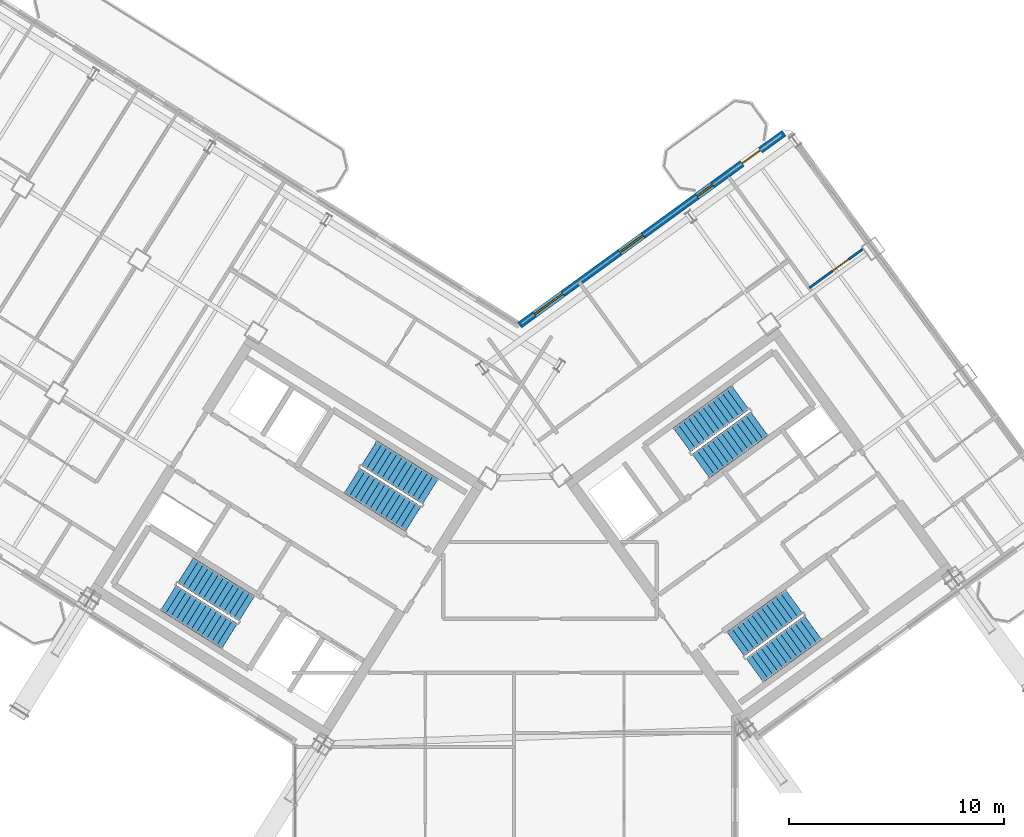
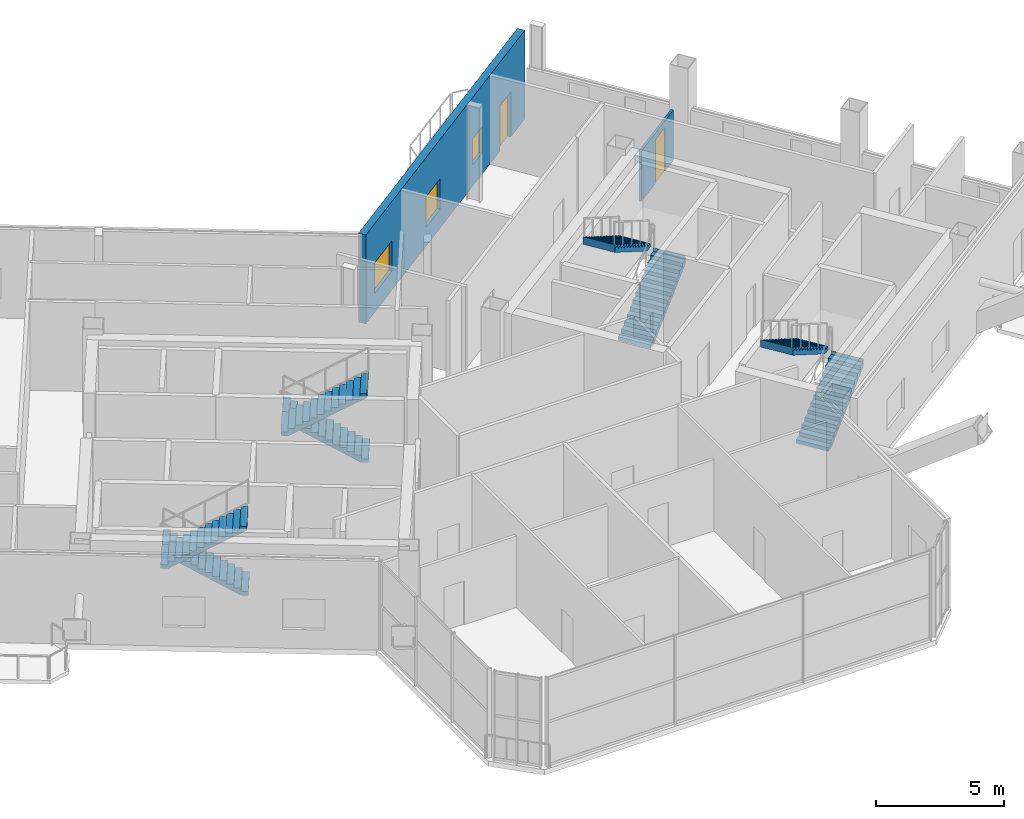
# One storey, part 27 of 34: 8 stair flights, 3 windows, 2 doors, 2 walls, 5 openings, 4 elements without a shape of their own.
"""IFC4 building model written with IfcOpenShell, lengths in metres."""

import ifcopenshell
import ifcopenshell.guid

model = None  # the IFC model being written
_history = None  # IfcOwnerHistory: only IFC2X3 demands one
_inside = {}  # id of a spatial element -> (the spatial element, [elements in it])
_under = {}  # id of a project, library or spatial element -> (it, [spatial elements below it])
_declared = {}  # id of a project -> (the project, [libraries it declares])
_typed = {}  # id of a type object -> (the type object, [elements of that type])
_made_of = {}  # id of a material, layer set ... -> (it, [elements and type objects made of it])


def new_model(schema):
    """Start an empty IFC model of exactly this schema.

    Asked for "IFC4X3", IfcOpenShell would pick the latest addendum, in which some entities
    have other attributes; the version numbers below select the first issue.
    IFC2X3 requires an IfcOwnerHistory on every rooted entity: one is made here for all.
    """
    global model, _history
    if schema == "IFC4X3":
        model = ifcopenshell.file(schema_version=(4, 3, 0, 0))
    else:
        model = ifcopenshell.file(schema=schema)
    _inside.clear()
    _under.clear()
    _declared.clear()
    _typed.clear()
    _made_of.clear()
    _history = None
    if model.schema == "IFC2X3":
        org = make("IfcOrganization", Name="unknown")
        user = make(
            "IfcPersonAndOrganization",
            ThePerson=make("IfcPerson", FamilyName="unknown"),
            TheOrganization=org,
        )
        app = make(
            "IfcApplication",
            ApplicationDeveloper=org,
            Version="unknown",
            ApplicationFullName="unknown",
            ApplicationIdentifier="unknown",
        )
        _history = make(
            "IfcOwnerHistory",
            OwningUser=user,
            OwningApplication=app,
            ChangeAction="ADDED",
            CreationDate=0,
        )
    return model


def make(cls, **values):
    """One entity of the class cls with the attributes given. An attribute that is None is left unset."""
    return model.create_entity(
        cls, **{name: value for name, value in values.items() if value is not None}
    )


def rooted(cls, **values):
    """An entity with a GlobalId (a new one), such as an element, a storey or a relation."""
    return make(cls, GlobalId=ifcopenshell.guid.new(), OwnerHistory=_history, **values)


def si_unit(unit_type, name, prefix=None):
    """IfcSIUnit, for example si_unit("LENGTHUNIT", "METRE", prefix="MILLI")."""
    return make("IfcSIUnit", UnitType=unit_type, Prefix=prefix, Name=name)


def assignment(units):
    """IfcUnitAssignment: the units of a project."""
    return None if units is None else make("IfcUnitAssignment", Units=units)


def point(xyz):
    """IfcCartesianPoint."""
    return None if xyz is None else make("IfcCartesianPoint", Coordinates=xyz)


def direction(xyz):
    """IfcDirection."""
    return None if xyz is None else make("IfcDirection", DirectionRatios=xyz)


def frame(location, z_axis=None, x_axis=None):
    """IfcAxis2Placement3D, a coordinate frame: its origin and axes. An axis left out is left unset."""
    return make(
        "IfcAxis2Placement3D",
        Location=point(location),
        Axis=direction(z_axis),
        RefDirection=direction(x_axis),
    )


def frame_2d(location, x_axis=None):
    """IfcAxis2Placement2D, a coordinate frame in the plane: its origin and x axis."""
    return make(
        "IfcAxis2Placement2D", Location=point(location), RefDirection=direction(x_axis)
    )


def origin():
    """The frame at (0, 0, 0) with its axes left unset."""
    return frame((0.0, 0.0, 0.0))


def place(relative_to, where):
    """IfcLocalPlacement: puts the frame where relative to a parent placement (None: the world)."""
    return make(
        "IfcLocalPlacement", PlacementRelTo=relative_to, RelativePlacement=where
    )


def context(
    kind, dimensions, precision=None, world=None, true_north=None, identifier=None
):
    """IfcGeometricRepresentationContext, for example the 3D "Model" context."""
    return make(
        "IfcGeometricRepresentationContext",
        ContextIdentifier=identifier,
        ContextType=kind,
        CoordinateSpaceDimension=dimensions,
        Precision=precision,
        WorldCoordinateSystem=world,
        TrueNorth=true_north,
    )


def subcontext(parent, identifier, kind, view, scale=None):
    """IfcGeometricRepresentationSubContext, for example "Body" below "Model"."""
    return make(
        "IfcGeometricRepresentationSubContext",
        ContextIdentifier=identifier,
        ContextType=kind,
        ParentContext=parent,
        TargetScale=scale,
        TargetView=view,
    )


def project(units=None, contexts=None):
    """IfcProject with its units and contexts."""
    return rooted(
        "IfcProject",
        Name="project",
        RepresentationContexts=contexts,
        UnitsInContext=assignment(units),
    )


def spatial(cls, under=None, at=None, **own):
    """A site, building, storey or space (cls), placed at a placement, below another one or the project."""
    s = rooted(cls, ObjectPlacement=at, **own)
    if under is not None:
        _under.setdefault(under.id(), (under, []))[1].append(s)
    return s


def polyline(points):
    """IfcPolyline through the points."""
    return make("IfcPolyline", Points=[point(p) for p in points])


def profile(cls, at=None, kind="AREA", **sizes):
    """A parametric profile (cls). Its sizes go by their IFC names, for example OverallWidth=200.0."""
    return make(cls, ProfileType=kind, Position=at, **sizes)


def rectangle(**sizes):
    """IfcRectangleProfileDef."""
    return profile("IfcRectangleProfileDef", **sizes)


def outline(outer, holes=None, kind="AREA"):
    """IfcArbitraryClosedProfileDef: a profile drawn as a closed curve; with holes, ...WithVoids."""
    if holes is None:
        return make("IfcArbitraryClosedProfileDef", ProfileType=kind, OuterCurve=outer)
    return make(
        "IfcArbitraryProfileDefWithVoids",
        ProfileType=kind,
        OuterCurve=outer,
        InnerCurves=holes,
    )


def extrude(swept, where, along, depth):
    """IfcExtrudedAreaSolid: the profile swept, set in the frame where, extruded along a direction by depth."""
    return make(
        "IfcExtrudedAreaSolid",
        SweptArea=swept,
        Position=where,
        ExtrudedDirection=direction(along),
        Depth=depth,
    )


def shape(context_of_items, identifier, shape_type, items):
    """IfcShapeRepresentation: the items that make up one representation, for example the "Body"."""
    return make(
        "IfcShapeRepresentation",
        ContextOfItems=context_of_items,
        RepresentationIdentifier=identifier,
        RepresentationType=shape_type,
        Items=items,
    )


def source(mapping_origin, context_of_items, identifier, shape_type, items):
    """IfcRepresentationMap: a shape defined once, which mapped items show again and again."""
    return make(
        "IfcRepresentationMap",
        MappingOrigin=mapping_origin,
        MappedRepresentation=shape(context_of_items, identifier, shape_type, items),
    )


def transform(
    local_origin,
    x_axis=None,
    y_axis=None,
    z_axis=None,
    scale=None,
    scale2=None,
    scale3=None,
    uniform=True,
):
    """IfcCartesianTransformationOperator3D, or its non-uniform kind. x_axis, y_axis, z_axis: its Axis1, 2, 3."""
    if uniform:
        return make(
            "IfcCartesianTransformationOperator3D",
            Axis1=direction(x_axis),
            Axis2=direction(y_axis),
            LocalOrigin=point(local_origin),
            Scale=scale,
            Axis3=direction(z_axis),
        )
    return make(
        "IfcCartesianTransformationOperator3DnonUniform",
        Axis1=direction(x_axis),
        Axis2=direction(y_axis),
        LocalOrigin=point(local_origin),
        Scale=scale,
        Axis3=direction(z_axis),
        Scale2=scale2,
        Scale3=scale3,
    )


def mapped(mapping_source, mapping_target):
    """IfcMappedItem: shows the shape of a source again, moved by a transform."""
    return make(
        "IfcMappedItem", MappingSource=mapping_source, MappingTarget=mapping_target
    )


def material(Name=None, Category=None):
    """IfcMaterial."""
    return make("IfcMaterial", Name=Name, Category=Category)


def layer(
    of_material, thickness, ventilated=None, Name=None, Category=None, Priority=None
):
    """IfcMaterialLayer: one layer of a wall or slab, of a material (None: an air gap)."""
    return make(
        "IfcMaterialLayer",
        Material=of_material,
        LayerThickness=thickness,
        IsVentilated=ventilated,
        Name=Name,
        Category=Category,
        Priority=Priority,
    )


def layer_set(layers, Name=None):
    """IfcMaterialLayerSet."""
    return make("IfcMaterialLayerSet", MaterialLayers=layers, LayerSetName=Name)


def made_of(thing, what):
    """Note that an element or type object is made of a material, layer set ...; save() writes the relation."""
    if what is not None:
        _made_of.setdefault(what.id(), (what, []))[1].append(thing)
    return thing


def type_object(cls, material=None, **own):
    """A type object (cls), such as IfcWallType, which elements share."""
    return made_of(rooted(cls, **own), material)


def element(
    cls,
    number,
    at=None,
    inside=None,
    cuts=None,
    type_object=None,
    material=None,
    context=None,
    identifier="Body",
    shape_type=None,
    held_by="IfcProductDefinitionShape",
    body=None,
    shapes=None,
    **own,
):
    """One element of the class cls, such as IfcWall. Its Tag is "e" and its number.

    at: its placement. inside: the storey or other place that contains it. cuts: it is an
    opening in that element (IfcRelVoidsElement). A single representation is given by context,
    identifier, shape_type and body (its items); several are given by shapes. held_by: the class
    of the entity that holds the representations. save() writes the other relations.
    """
    e = rooted(cls, Tag="e%d" % number, ObjectPlacement=at, **own)
    if body is not None:
        shapes = [shape(context, identifier, shape_type, body)]
    if shapes is not None:
        e.Representation = make(held_by, Representations=shapes)
    if inside is not None:
        _inside.setdefault(inside.id(), (inside, []))[1].append(e)
    if cuts is not None:
        rooted(
            "IfcRelVoidsElement", RelatingBuildingElement=cuts, RelatedOpeningElement=e
        )
    if type_object is not None:
        _typed.setdefault(type_object.id(), (type_object, []))[1].append(e)
    return made_of(e, material)


def fill(opening, filler):
    """IfcRelFillsElement: the door or window that sits in an opening."""
    return rooted(
        "IfcRelFillsElement",
        RelatingOpeningElement=opening,
        RelatedBuildingElement=filler,
    )


def aggregate(whole, parts):
    """IfcRelAggregates: a whole, such as a stair, and the parts it consists of."""
    return rooted("IfcRelAggregates", RelatingObject=whole, RelatedObjects=parts)


def save(model, path):
    """Write the relations noted so far, then the file.

    IfcRelAggregates (storeys below a building ...), IfcRelContainedInSpatialStructure (elements
    in a storey), IfcRelDefinesByType, IfcRelAssociatesMaterial and IfcRelDeclares: one each for
    every whole, place, type object, material and project.
    """
    for whole, parts in _under.values():
        aggregate(whole, parts)
    for where, things in _inside.values():
        rooted(
            "IfcRelContainedInSpatialStructure",
            RelatedElements=things,
            RelatingStructure=where,
        )
    for kind, things in _typed.values():
        rooted("IfcRelDefinesByType", RelatedObjects=things, RelatingType=kind)
    for what, things in _made_of.values():
        rooted("IfcRelAssociatesMaterial", RelatedObjects=things, RelatingMaterial=what)
    for by, libraries in _declared.values():
        rooted("IfcRelDeclares", RelatingContext=by, RelatedDefinitions=libraries)
    model.write(path)


model = new_model("IFC4")

# Units and contexts
model_context = context("Model", 3, precision=1e-05, world=origin(), true_north=direction((0.0, 1.0)))
body_context = subcontext(model_context, "Body", "Model", "MODEL_VIEW")
ifc_project = project(units=[si_unit("LENGTHUNIT", "METRE"), si_unit("AREAUNIT", "SQUARE_METRE"), si_unit("VOLUMEUNIT", "CUBIC_METRE"), si_unit("PLANEANGLEUNIT", "RADIAN"), si_unit("MASSUNIT", "GRAM", prefix="KILO")], contexts=[model_context])

# Site, building, storey
site_placement = place(None, origin())
site = spatial("IfcSite", under=ifc_project, at=site_placement, CompositionType="ELEMENT")
building_placement = place(site_placement, origin())
building = spatial("IfcBuilding", under=site, at=building_placement, Name="Tlacorven Tower", CompositionType="ELEMENT")
storey_placement = place(building_placement, frame((0.0, 0.0, 229.199951171875)))
storey = spatial("IfcBuildingStorey", under=building, at=storey_placement, Name="L58", CompositionType="ELEMENT", Elevation=229.199951171875)

# Wall, openings, door, windows
ifc_material_1 = material(Name="Precast concrete C45/55", Category="concrete")
ifc_layer_1 = layer(ifc_material_1, 0.320068359375)
ifc_layer_set_1 = layer_set([ifc_layer_1], Name="Precast concrete C45/55")
wall_type_1 = type_object("IfcWallType", Name="WL-EXT-320", PredefinedType="STANDARD", material=ifc_layer_set_1)
wall_1_placement = place(storey_placement, frame((42.20654296875, 31.597412109375, 0.0), z_axis=(0.0, 0.0, 1.0), x_axis=(0.809020333377, 0.587780656523, 0.0)))
wall_1 = element("IfcWall", 1, at=wall_1_placement, inside=storey, type_object=wall_type_1, Name="L58 Masonry-Frame Recessed Facade Wall 4", PredefinedType="STANDARD", context=body_context, shape_type="SweptSolid", body=[
    extrude(rectangle(XDim=15.222900390625, YDim=0.320068359375, at=frame_2d((7.611328125, 0.0))), origin(), (0.0, 0.0, 1.0), 4.219970703125),
])
opening_1_placement = place(wall_1_placement, frame((12.81982421875, 0.0, 0.0)))
opening_1 = element("IfcOpeningElement", 2, at=opening_1_placement, cuts=wall_1, Name="Opening D06", PredefinedType="OPENING", context=body_context, shape_type="SweptSolid", body=[
    extrude(rectangle(XDim=1.050048828125, YDim=2.14990234375, at=frame_2d((0.52490234375, 1.074951171875))), frame((0.0, 0.169921875, 0.0), z_axis=(0.0, -1.0, 0.0), x_axis=(1.0, 0.0, 0.0)), (0.0, 0.0, 1.0), 0.340087890625),
])
opening_2_placement = place(wall_1_placement, frame((0.849609375, 0.0, 0.89990234375)))
opening_2 = element("IfcOpeningElement", 3, at=opening_2_placement, cuts=wall_1, Name="Opening WN07", PredefinedType="OPENING", context=body_context, shape_type="SweptSolid", body=[
    extrude(rectangle(XDim=1.64990234375, YDim=1.449951171875, at=frame_2d((0.824951171875, 0.72509765625))), frame((0.0, 0.169921875, 0.0), z_axis=(0.0, -1.0, 0.0), x_axis=(1.0, 0.0, 0.0)), (0.0, 0.0, 1.0), 0.340087890625),
])
opening_3_placement = place(wall_1_placement, frame((5.769287109375, 0.0, 0.89990234375)))
opening_3 = element("IfcOpeningElement", 4, at=opening_3_placement, cuts=wall_1, Name="Opening WN08", PredefinedType="OPENING", context=body_context, shape_type="SweptSolid", body=[
    extrude(rectangle(XDim=1.35009765625, YDim=1.449951171875, at=frame_2d((0.675048828125, 0.72509765625))), frame((0.0, 0.169921875, 0.0), z_axis=(0.0, -1.0, 0.0), x_axis=(1.0, 0.0, 0.0)), (0.0, 0.0, 1.0), 0.340087890625),
])
opening_4_placement = place(wall_1_placement, frame((10.219482421875, 0.0, 1.0)))
opening_4 = element("IfcOpeningElement", 5, at=opening_4_placement, cuts=wall_1, Name="Opening WN05", PredefinedType="OPENING", context=body_context, shape_type="SweptSolid", body=[
    extrude(rectangle(XDim=0.89990234375, YDim=1.25, at=frame_2d((0.449951171875, 0.625))), frame((0.0, 0.169921875, 0.0), z_axis=(0.0, -1.0, 0.0), x_axis=(1.0, 0.0, 0.0)), (0.0, 0.0, 1.0), 0.340087890625),
])
ifc_material_2 = material(Name="Powder-coated aluminium and timber door", Category="wood")
door_type_1 = type_object("IfcDoorType", Name="DR-EXT-BALC-1050", OperationType="NOTDEFINED", PredefinedType="DOOR", material=ifc_material_2)
shared_shape_1 = source(origin(), body_context, "Body", "SweptSolid", [
    extrude(rectangle(XDim=1.050048828125, YDim=2.14990234375, at=frame_2d((0.52490234375, 1.074951171875))), frame((0.0, 0.02490234375, 0.0), z_axis=(0.0, -1.0, 0.0), x_axis=(1.0, 0.0, 0.0)), (0.0, 0.0, 1.0), 0.050048828125),
])
door_1_placement = place(opening_1_placement, origin())
door_1 = element("IfcDoor", 6, at=door_1_placement, inside=storey, type_object=door_type_1, Name="L58 Outdoor Access Door BAL-L58-E-IN", OperationType="SINGLE_SWING_RIGHT", OverallHeight=2.14990234375, OverallWidth=1.050048828125, PredefinedType="DOOR", context=body_context, shape_type="MappedRepresentation", body=[
    mapped(shared_shape_1, transform((0.0, 0.0, 0.0), scale=1.0)),
])
fill(opening_1, door_1)
ifc_material_3 = material(Name="Dark solar low-E double glazing in anodised aluminium frame", Category="aluminium")
window_type_1 = type_object("IfcWindowType", Name="WN-APT-0900X1350", PartitioningType="SINGLE_PANEL", PredefinedType="WINDOW", material=ifc_material_3)
shared_shape_2 = source(origin(), body_context, "Body", "SweptSolid", [
    extrude(rectangle(XDim=0.89990234375, YDim=1.25, at=frame_2d((0.449951171875, 0.625))), frame((0.0, 0.030029296875, 0.0), z_axis=(0.0, -1.0, 0.0), x_axis=(1.0, 0.0, 0.0)), (0.0, 0.0, 1.0), 0.06005859375),
])
window_1_placement = place(opening_4_placement, origin())
window_1 = element("IfcWindow", 7, at=window_1_placement, inside=storey, type_object=window_type_1, Name="L58 Recessed Masonry-Frame Window L58-04.3", OverallHeight=1.25, OverallWidth=0.89990234375, PartitioningType="SINGLE_PANEL", PredefinedType="WINDOW", context=body_context, shape_type="MappedRepresentation", body=[
    mapped(shared_shape_2, transform((0.0, 0.0, 0.0), scale=1.0)),
])
fill(opening_4, window_1)
window_type_2 = type_object("IfcWindowType", Name="WN-APT-1650X1600", PartitioningType="SINGLE_PANEL", PredefinedType="WINDOW", material=ifc_material_3)
shared_shape_3 = source(origin(), body_context, "Body", "SweptSolid", [
    extrude(rectangle(XDim=1.64990234375, YDim=1.449951171875, at=frame_2d((0.824951171875, 0.72509765625))), frame((0.0, 0.030029296875, 0.0), z_axis=(0.0, -1.0, 0.0), x_axis=(1.0, 0.0, 0.0)), (0.0, 0.0, 1.0), 0.06005859375),
])
window_2_placement = place(opening_2_placement, origin())
window_2 = element("IfcWindow", 8, at=window_2_placement, inside=storey, type_object=window_type_2, Name="L58 Recessed Masonry-Frame Window L58-04.1", OverallHeight=1.449951171875, OverallWidth=1.64990234375, PartitioningType="SINGLE_PANEL", PredefinedType="WINDOW", context=body_context, shape_type="MappedRepresentation", body=[
    mapped(shared_shape_3, transform((0.0, 0.0, 0.0), scale=1.0)),
])
fill(opening_2, window_2)
window_type_3 = type_object("IfcWindowType", Name="WN-APT-1350X1550", PartitioningType="SINGLE_PANEL", PredefinedType="WINDOW", material=ifc_material_3)
shared_shape_4 = source(origin(), body_context, "Body", "SweptSolid", [
    extrude(rectangle(XDim=1.35009765625, YDim=1.449951171875, at=frame_2d((0.675048828125, 0.72509765625))), frame((0.0, 0.030029296875, 0.0), z_axis=(0.0, -1.0, 0.0), x_axis=(1.0, 0.0, 0.0)), (0.0, 0.0, 1.0), 0.06005859375),
])
window_3_placement = place(opening_3_placement, origin())
window_3 = element("IfcWindow", 9, at=window_3_placement, inside=storey, type_object=window_type_3, Name="L58 Recessed Masonry-Frame Window L58-04.2", OverallHeight=1.449951171875, OverallWidth=1.35009765625, PartitioningType="SINGLE_PANEL", PredefinedType="WINDOW", context=body_context, shape_type="MappedRepresentation", body=[
    mapped(shared_shape_4, transform((0.0, 0.0, 0.0), scale=1.0)),
])
fill(opening_3, window_3)

# Wall, opening, door
ifc_material_4 = material(Name="Gypsum plasterboard partition", Category="gypsum")
ifc_layer_2 = layer(ifc_material_4, 0.110107421875)
ifc_layer_set_2 = layer_set([ifc_layer_2], Name="Gypsum plasterboard partition")
wall_type_2 = type_object("IfcWallType", Name="WL-INT-110", PredefinedType="PARTITIONING", material=ifc_layer_set_2)
wall_2_placement = place(storey_placement, frame((55.70263671875, 33.333984375, 0.0), z_axis=(0.0, 0.0, 1.0), x_axis=(0.809044670406, 0.587747157618, 0.0)))
wall_2 = element("IfcWall", 10, at=wall_2_placement, inside=storey, type_object=wall_type_2, Name="L58 partition 85", PredefinedType="PARTITIONING", context=body_context, shape_type="SweptSolid", body=[
    extrude(rectangle(XDim=3.077880859375, YDim=0.110107421875, at=frame_2d((1.5390625, 0.0))), origin(), (0.0, 0.0, 1.0), 2.39501953125),
])
opening_5_placement = place(wall_2_placement, frame((1.344970703125, 0.0, 0.0)))
opening_5 = element("IfcOpeningElement", 11, at=opening_5_placement, cuts=wall_2, Name="Opening D12", PredefinedType="OPENING", context=body_context, shape_type="SweptSolid", body=[
    extrude(rectangle(XDim=0.919921875, YDim=2.080078125, at=frame_2d((0.4599609375, 1.0400390625))), frame((0.0, 0.06494140625, 0.0), z_axis=(0.0, -1.0, 0.0), x_axis=(1.0, 0.0, 0.0)), (0.0, 0.0, 1.0), 0.130126953125),
])
door_type_2 = type_object("IfcDoorType", Name="DR-INT-ROOM-0920", OperationType="NOTDEFINED", PredefinedType="DOOR", material=ifc_material_2)
shared_shape_5 = source(origin(), body_context, "Body", "SweptSolid", [
    extrude(rectangle(XDim=0.919921875, YDim=2.080078125, at=frame_2d((0.4599609375, 1.0400390625))), frame((0.0, 0.02490234375, 0.0), z_axis=(0.0, -1.0, 0.0), x_axis=(1.0, 0.0, 0.0)), (0.0, 0.0, 1.0), 0.050048828125),
])
door_2_placement = place(opening_5_placement, origin())
door_2 = element("IfcDoor", 12, at=door_2_placement, inside=storey, type_object=door_type_2, Name="L58 door 056", OperationType="SINGLE_SWING_LEFT", OverallHeight=2.080078125, OverallWidth=0.919921875, PredefinedType="DOOR", context=body_context, shape_type="MappedRepresentation", body=[
    mapped(shared_shape_5, transform((0.0, 0.0, 0.0), scale=1.0)),
])
fill(opening_5, door_2)

# Stair, stair flights
ifc_material_5 = material(Name="Concrete C40/50", Category="concrete")
stair_type = type_object("IfcStairType", Name="ST-CORE-DLG", PredefinedType="HALF_TURN_STAIR", material=ifc_material_5)
stair_1_placement = place(storey_placement, origin())
stair_1 = element("IfcStair", 13, at=stair_1_placement, inside=storey, type_object=stair_type, Name="L58 Protected Exit Stair West 1", PredefinedType="HALF_TURN_STAIR")
stair_flight_type = type_object("IfcStairFlightType", Name="SFL-RC-1380", PredefinedType="STRAIGHT", material=ifc_material_5)
shared_shape_6 = source(origin(), body_context, "Body", "SweptSolid", [
    extrude(outline(polyline([(-0.0029296875, -0.0029296875), (-0.0029296875, 0.173095703125), (0.280029296875, 0.173095703125), (0.280029296875, 0.34619140625), (0.56005859375, 0.34619140625), (0.56005859375, 0.519287109375), (0.840087890625, 0.519287109375), (0.840087890625, 0.6923828125), (1.1201171875, 0.6923828125), (1.1201171875, 0.865478515625), (1.39990234375, 0.865478515625), (1.39990234375, 1.03857421875), (1.679931640625, 1.03857421875), (1.679931640625, 1.21142578125), (1.9599609375, 1.21142578125), (1.9599609375, 1.384521484375), (2.239990234375, 1.384521484375), (2.239990234375, 1.5576171875), (2.52001953125, 1.5576171875), (2.52001953125, 1.730712890625), (2.800048828125, 1.730712890625), (2.800048828125, 1.90380859375), (3.080078125, 1.90380859375), (3.080078125, 2.076904296875), (3.360107421875, 2.076904296875), (3.360107421875, 2.25), (3.363037109375, 2.25), (3.363037109375, 1.888916015625), (3.360107421875, 1.888916015625), (0.30419921875, 0.0), (0.30419921875, -0.0029296875), (-0.0029296875, -0.0029296875)])), frame((0.0, 0.68994140625, 0.0), z_axis=(0.0, -1.0, 0.0), x_axis=(1.0, 0.0, 0.0)), (0.0, 0.0, 1.0), 1.3798828125),
])
stair_flight_1_placement = place(storey_placement, frame((29.499755859375, 18.39453125, 0.0), z_axis=(0.0, 0.0, 1.0), x_axis=(-0.848048096156, 0.529919264233, 0.0)))
stair_flight_1 = element("IfcStairFlight", 14, at=stair_flight_1_placement, type_object=stair_flight_type, Name="ST-W1 flight 1", NumberOfRisers=13, NumberOfTreads=12, PredefinedType="STRAIGHT", RiserHeight=0.173076923, TreadLength=0.28, context=body_context, shape_type="MappedRepresentation", body=[
    mapped(shared_shape_6, transform((0.0, 0.0, 0.0), scale=1.0)),
])
stair_flight_2_placement = place(storey_placement, frame((25.85546875, 18.903076171875, 2.25), z_axis=(0.0, 0.0, 1.0), x_axis=(0.848048096156, -0.529919264233, 0.0)))
stair_flight_2 = element("IfcStairFlight", 15, at=stair_flight_2_placement, type_object=stair_flight_type, Name="ST-W1 flight 2", NumberOfRisers=13, NumberOfTreads=12, PredefinedType="STRAIGHT", RiserHeight=0.173076923, TreadLength=0.28, context=body_context, shape_type="MappedRepresentation", body=[
    mapped(shared_shape_6, transform((0.0, 0.0, 0.0), scale=1.0)),
])
aggregate(stair_1, [stair_flight_1, stair_flight_2])

stair_2_placement = place(storey_placement, origin())
stair_2 = element("IfcStair", 16, at=stair_2_placement, inside=storey, type_object=stair_type, Name="L58 Protected Exit Stair West 2", PredefinedType="HALF_TURN_STAIR")
stair_flight_3_placement = place(storey_placement, frame((38.051513671875, 23.852294921875, 0.0), z_axis=(0.0, 0.0, 1.0), x_axis=(-0.848048096156, 0.529919264233, 0.0)))
stair_flight_3 = element("IfcStairFlight", 17, at=stair_flight_3_placement, type_object=stair_flight_type, Name="ST-W2 flight 1", NumberOfRisers=13, NumberOfTreads=12, PredefinedType="STRAIGHT", RiserHeight=0.173076923, TreadLength=0.28, context=body_context, shape_type="MappedRepresentation", body=[
    mapped(shared_shape_6, transform((0.0, 0.0, 0.0), scale=1.0)),
])
stair_flight_4_placement = place(storey_placement, frame((34.406982421875, 24.36083984375, 2.25), z_axis=(0.0, 0.0, 1.0), x_axis=(0.848048096156, -0.529919264233, 0.0)))
stair_flight_4 = element("IfcStairFlight", 18, at=stair_flight_4_placement, type_object=stair_flight_type, Name="ST-W2 flight 2", NumberOfRisers=13, NumberOfTreads=12, PredefinedType="STRAIGHT", RiserHeight=0.173076923, TreadLength=0.28, context=body_context, shape_type="MappedRepresentation", body=[
    mapped(shared_shape_6, transform((0.0, 0.0, 0.0), scale=1.0)),
])
aggregate(stair_2, [stair_flight_3, stair_flight_4])

stair_3_placement = place(storey_placement, origin())
stair_3 = element("IfcStair", 19, at=stair_3_placement, inside=storey, type_object=stair_type, Name="L58 Protected Exit Stair East 1", PredefinedType="HALF_TURN_STAIR")
stair_flight_5_placement = place(storey_placement, frame((50.6533203125, 25.0400390625, 0.0), z_axis=(0.0, 0.0, 1.0), x_axis=(0.809016994375, 0.587785252292, 0.0)))
stair_flight_5 = element("IfcStairFlight", 20, at=stair_flight_5_placement, type_object=stair_flight_type, Name="ST-E1 flight 1", NumberOfRisers=13, NumberOfTreads=12, PredefinedType="STRAIGHT", RiserHeight=0.173076923, TreadLength=0.28, context=body_context, shape_type="MappedRepresentation", body=[
    mapped(shared_shape_6, transform((0.0, 0.0, 0.0), scale=1.0)),
])
stair_flight_6_placement = place(storey_placement, frame((52.489990234375, 28.228515625, 2.25), z_axis=(0.0, 0.0, 1.0), x_axis=(-0.809016994375, -0.587785252292, 0.0)))
stair_flight_6 = element("IfcStairFlight", 21, at=stair_flight_6_placement, type_object=stair_flight_type, Name="ST-E1 flight 2", NumberOfRisers=13, NumberOfTreads=12, PredefinedType="STRAIGHT", RiserHeight=0.173076923, TreadLength=0.28, context=body_context, shape_type="MappedRepresentation", body=[
    mapped(shared_shape_6, transform((0.0, 0.0, 0.0), scale=1.0)),
])
aggregate(stair_3, [stair_flight_5, stair_flight_6])

stair_4_placement = place(storey_placement, origin())
stair_4 = element("IfcStair", 22, at=stair_4_placement, inside=storey, type_object=stair_type, Name="L58 Protected Exit Stair East 2", PredefinedType="HALF_TURN_STAIR")
stair_flight_7_placement = place(storey_placement, frame((53.157470703125, 15.536865234375, 0.0), z_axis=(0.0, 0.0, 1.0), x_axis=(0.809016994375, 0.587785252292, 0.0)))
stair_flight_7 = element("IfcStairFlight", 23, at=stair_flight_7_placement, type_object=stair_flight_type, Name="ST-E2 flight 1", NumberOfRisers=13, NumberOfTreads=12, PredefinedType="STRAIGHT", RiserHeight=0.173076923, TreadLength=0.28, context=body_context, shape_type="MappedRepresentation", body=[
    mapped(shared_shape_6, transform((0.0, 0.0, 0.0), scale=1.0)),
])
stair_flight_8_placement = place(storey_placement, frame((54.994140625, 18.725341796875, 2.25), z_axis=(0.0, 0.0, 1.0), x_axis=(-0.809016994375, -0.587785252292, 0.0)))
stair_flight_8 = element("IfcStairFlight", 24, at=stair_flight_8_placement, type_object=stair_flight_type, Name="ST-E2 flight 2", NumberOfRisers=13, NumberOfTreads=12, PredefinedType="STRAIGHT", RiserHeight=0.173076923, TreadLength=0.28, context=body_context, shape_type="MappedRepresentation", body=[
    mapped(shared_shape_6, transform((0.0, 0.0, 0.0), scale=1.0)),
])
aggregate(stair_4, [stair_flight_7, stair_flight_8])

save(model, "model.ifc")
